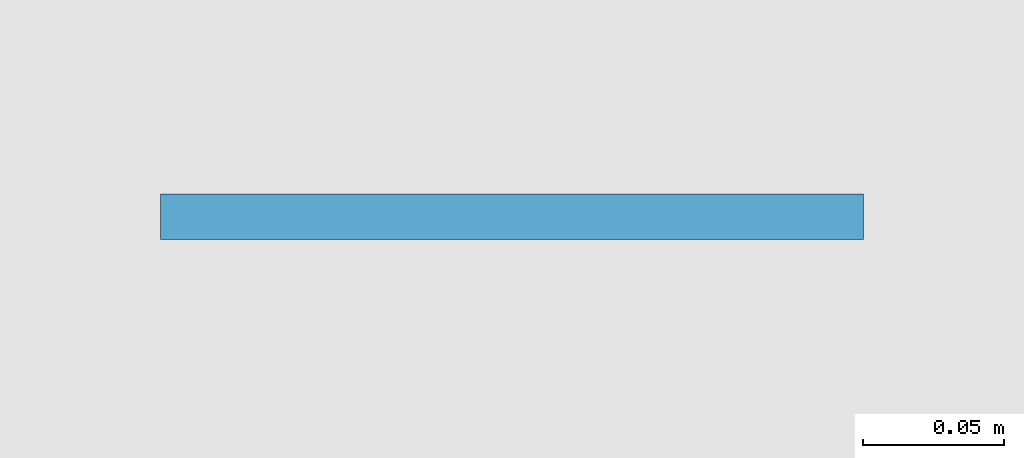
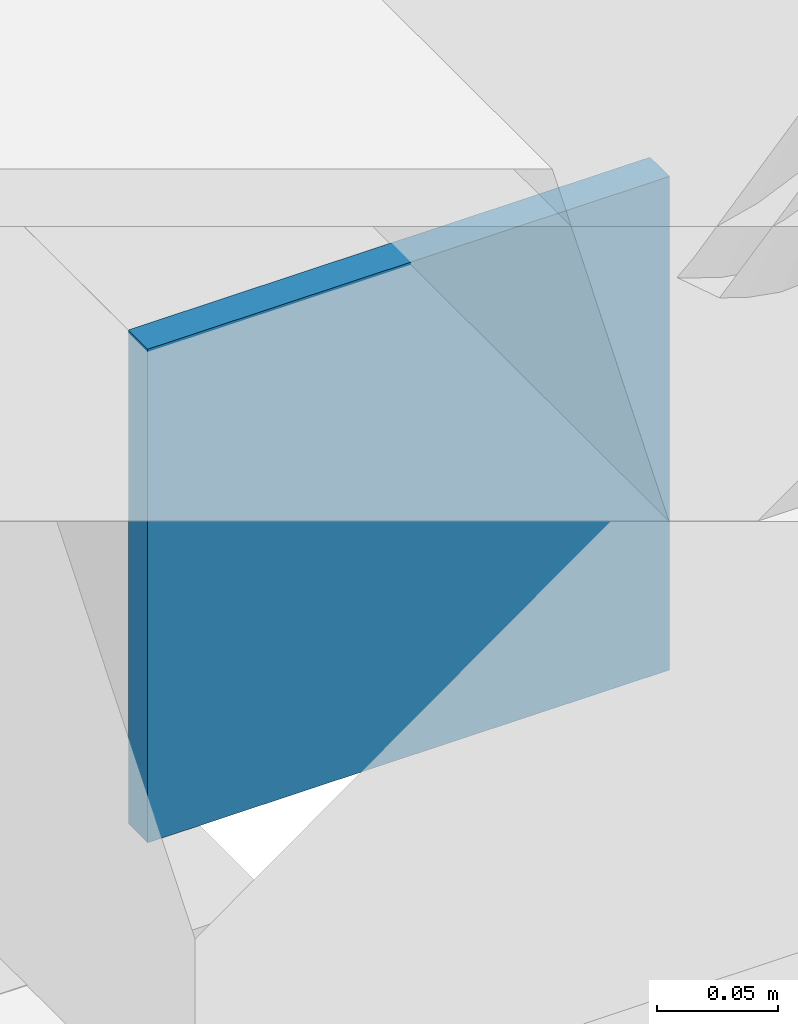
# One storey, part 107 of 121: 1 discrete accessory.
"""IFC4 building model written with IfcOpenShell, lengths in metres."""

from ifc_helpers import new_model, si_unit, direction, frame, origin, origin_2d, place, context, subcontext, project, spatial, rectangle, extrude, material, material_profile, profile_set, type_object, element, save


model = new_model("IFC4")

# Units and contexts
model_context = context("Model", 3, precision=1e-05, world=origin(), true_north=direction((0.0, 1.0)))
body_context = subcontext(model_context, "Body", "Model", "MODEL_VIEW")
ifc_project = project(units=[si_unit("LENGTHUNIT", "METRE"), si_unit("AREAUNIT", "SQUARE_METRE"), si_unit("VOLUMEUNIT", "CUBIC_METRE"), si_unit("PLANEANGLEUNIT", "RADIAN"), si_unit("MASSUNIT", "GRAM", prefix="KILO")], contexts=[model_context])

# Site, building, storey
site_placement = place(None, origin())
site = spatial("IfcSite", under=ifc_project, at=site_placement, CompositionType="ELEMENT")
building_placement = place(site_placement, origin())
building = spatial("IfcBuilding", under=site, at=building_placement, Name="Golden Quay Civic Hall", CompositionType="ELEMENT")
storey_placement = place(building_placement, frame((0.0, 0.0, 18.60009765625)))
storey = spatial("IfcBuildingStorey", under=building, at=storey_placement, Name="L04", CompositionType="ELEMENT", Elevation=18.60009765625)

# Discrete accessory
ifc_material = material(Name="Steel S355", Category="steel")
ifc_material_profile = material_profile(ifc_material, rectangle(XDim=0.25, YDim=0.25, at=origin_2d()), Name="Steel end cap plate 250x250x16")
ifc_profile_set = profile_set([ifc_material_profile], Name="Steel S355")
discrete_accessory_type = type_object("IfcDiscreteAccessoryType", Name="Steel end cap plate 250x250x16", PredefinedType="BRACKET", material=ifc_profile_set)
discrete_accessory_placement = place(storey_placement, frame((72.0, 53.98388671875, -0.125), z_axis=(0.0, 1.0, 0.0), x_axis=(-1.0, 0.0, 0.0)))
element("IfcDiscreteAccessory", 1, at=discrete_accessory_placement, inside=storey, type_object=discrete_accessory_type, Name="End cap roof edge beam west", PredefinedType="BRACKET", context=body_context, shape_type="SweptSolid", body=[
    extrude(rectangle(XDim=0.25, YDim=0.25, at=origin_2d()), origin(), (0.0, 0.0, 1.0), 0.01611328125),
])

save(model, "model.ifc")
